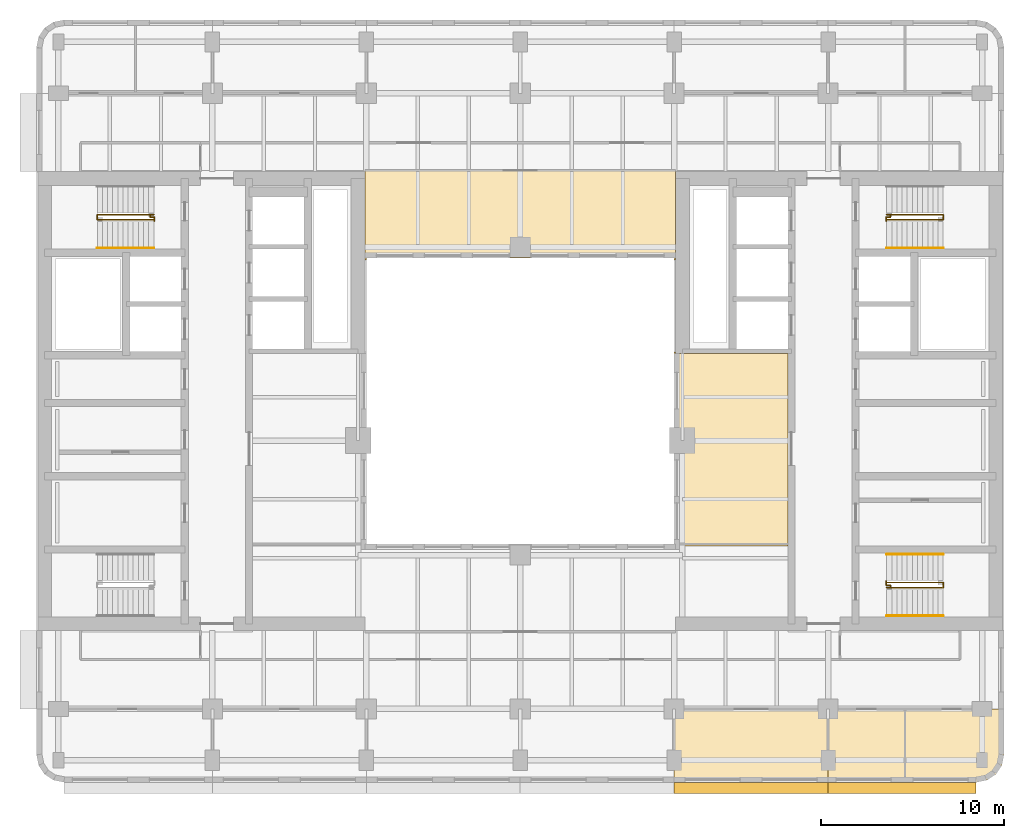
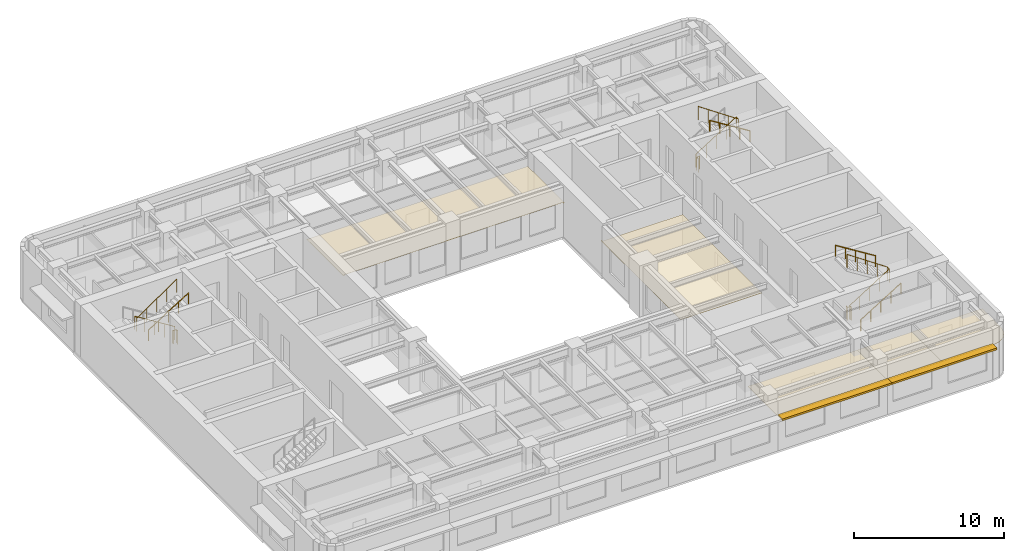
# One storey, part 10 of 11: 10 railings, 5 coverings, 2 shading devices.
"""IFC4 building model written with IfcOpenShell, lengths in metres."""

from ifc_helpers import new_model, si_unit, direction, frame, origin, origin_2d, place, context, subcontext, project, spatial, polyline, rectangle, circle, outline, extrude, material, layer, layer_set, type_object, element, save


model = new_model("IFC4")

# Units and contexts
model_context = context("Model", 3, precision=1e-05, world=origin(), true_north=direction((0.0, 1.0)))
body_context = subcontext(model_context, "Body", "Model", "MODEL_VIEW")
ifc_project = project(units=[si_unit("LENGTHUNIT", "METRE"), si_unit("AREAUNIT", "SQUARE_METRE"), si_unit("VOLUMEUNIT", "CUBIC_METRE"), si_unit("PLANEANGLEUNIT", "RADIAN"), si_unit("MASSUNIT", "GRAM", prefix="KILO")], contexts=[model_context])

# Site, building, storey
site_placement = place(None, origin())
site = spatial("IfcSite", under=ifc_project, at=site_placement, CompositionType="ELEMENT")
building_placement = place(site_placement, origin())
building = spatial("IfcBuilding", under=site, at=building_placement, Name="Claustro Exchange Tower", CompositionType="ELEMENT")
storey_placement = place(building_placement, frame((0.0, 0.0, 181.800048828125)))
storey = spatial("IfcBuildingStorey", under=building, at=storey_placement, Name="L41", CompositionType="ELEMENT", Elevation=181.800048828125)

# Coverings
ifc_material_1 = material(Name="Gypsum board ceiling", Category="gypsum board")
ifc_layer_1 = layer(ifc_material_1, 0.02490234375)
ifc_layer_set_1 = layer_set([ifc_layer_1], Name="Gypsum board ceiling")
covering_type = type_object("IfcCoveringType", Name="CL2 plasterboard ceiling", PredefinedType="CEILING", material=ifc_layer_set_1)
covering_1_placement = place(storey_placement, frame((0.0, 0.0, 2.800048828125)))
element("IfcCovering", 1, at=covering_1_placement, inside=storey, type_object=covering_type, Name="Ceiling CL2 L41-03", PredefinedType="CEILING", context=body_context, shape_type="SweptSolid", body=[
    extrude(outline(polyline([(33.60009765625, 4.39990234375), (42.0, 4.39990234375), (42.0, 8.39990234375), (33.60009765625, 8.39990234375), (33.60009765625, 4.39990234375)])), origin(), (0.0, 0.0, 1.0), 0.02490234375),
])
covering_2_placement = place(storey_placement, frame((0.0, 0.0, 2.800048828125)))
element("IfcCovering", 2, at=covering_2_placement, inside=storey, type_object=covering_type, Name="Ceiling CL2 L41-04", PredefinedType="CEILING", context=body_context, shape_type="SweptSolid", body=[
    extrude(outline(polyline([(42.0, 4.39990234375), (46.199951171875, 4.39990234375), (46.199951171875, 8.39990234375), (42.0, 8.39990234375), (42.0, 4.39990234375)])), origin(), (0.0, 0.0, 1.0), 0.02490234375),
])
covering_3_placement = place(storey_placement, frame((0.0, 0.0, 2.800048828125)))
element("IfcCovering", 3, at=covering_3_placement, inside=storey, type_object=covering_type, Name="Ceiling CL2 L41-05", PredefinedType="CEILING", context=body_context, shape_type="SweptSolid", body=[
    extrude(outline(polyline([(51.60009765625, 5.89990234375), (51.60009765625, 8.39990234375), (46.199951171875, 8.39990234375), (46.199951171875, 4.39990234375), (50.10009765625, 4.39990234375), (50.674072265625, 4.51416015625), (51.16064453125, 4.83935546875), (51.48583984375, 5.325927734375), (51.60009765625, 5.89990234375)])), origin(), (0.0, 0.0, 1.0), 0.02490234375),
])
covering_4_placement = place(storey_placement, frame((0.0, 0.0, 2.800048828125)))
element("IfcCovering", 4, at=covering_4_placement, inside=storey, type_object=covering_type, Name="Ceiling CL2 L41-12", PredefinedType="CEILING", context=body_context, shape_type="SweptSolid", body=[
    extrude(outline(polyline([(33.60009765625, 27.89501953125), (33.60009765625, 17.304931640625), (39.800048828125, 17.304931640625), (39.800048828125, 27.800048828125), (33.675048828125, 27.800048828125), (33.675048828125, 27.89501953125), (33.60009765625, 27.89501953125)])), origin(), (0.0, 0.0, 1.0), 0.02490234375),
])
covering_5_placement = place(storey_placement, frame((0.0, 0.0, 2.800048828125)))
element("IfcCovering", 5, at=covering_5_placement, inside=storey, type_object=covering_type, Name="Ceiling CL2 L41-13", PredefinedType="CEILING", context=body_context, shape_type="SweptSolid", body=[
    extrude(outline(polyline([(16.72509765625, 37.72509765625), (16.72509765625, 32.905029296875), (16.800048828125, 32.905029296875), (16.800048828125, 33.0), (33.60009765625, 33.0), (33.60009765625, 32.905029296875), (33.675048828125, 32.905029296875), (33.675048828125, 37.72509765625), (33.695068359375, 37.72509765625), (33.695068359375, 37.800048828125), (16.705078125, 37.800048828125), (16.705078125, 37.72509765625), (16.72509765625, 37.72509765625)])), origin(), (0.0, 0.0, 1.0), 0.02490234375),
])

# Railings
ifc_material_2 = material(Name="Steel balustrade, painted", Category="steel")
railing_type_1 = type_object("IfcRailingType", Name="GR2 1100 steel stair guard", PredefinedType="GUARDRAIL", material=ifc_material_2)
railing_1_placement = place(storey_placement, frame((5.199951171875, 35.375, 0.175048828125)))
element("IfcRailing", 6, at=railing_1_placement, inside=storey, type_object=railing_type_1, Name="Stair well guard GR2 stair STWB L41", PredefinedType="GUARDRAIL", context=body_context, shape_type="SweptSolid", body=[
    extrude(circle(Radius=0.02392578125, at=origin_2d()), frame((0.0, 0.0, 1.076171875), z_axis=(-0.848009633417, 0.0, 0.529980812513), x_axis=(0.0, -1.0, 0.0)), (0.0, 0.0, 1.0), 3.6318359375),
    extrude(circle(Radius=0.02392578125, at=origin_2d()), frame((-3.079833984375, 0.0, 3.0009765625), z_axis=(0.0, -1.0, 0.0), x_axis=(1.0, 0.0, 0.0)), (0.0, 0.0, 1.0), 0.27490234375),
    extrude(circle(Radius=0.02392578125, at=origin_2d()), frame((-3.079833984375, -0.27490234375, 3.0009765625), z_axis=(0.826201015165, 0.0, 0.563375436579), x_axis=(0.0, 1.0, 0.0)), (0.0, 0.0, 1.0), 3.727783203125),
    extrude(circle(Radius=0.02099609375, at=origin_2d()), origin(), (0.0, 0.0, 1.0), 1.052001953125),
    extrude(circle(Radius=0.02099609375, at=origin_2d()), frame((-0.77001953125, 0.0, 0.481201171875)), (0.0, 0.0, 1.0), 1.052001953125),
    extrude(circle(Radius=0.02099609375, at=origin_2d()), frame((-1.5400390625, 0.0, 0.96240234375)), (0.0, 0.0, 1.0), 1.052001953125),
    extrude(circle(Radius=0.02099609375, at=origin_2d()), frame((-2.309814453125, 0.0, 1.443603515625)), (0.0, 0.0, 1.0), 1.052001953125),
    extrude(circle(Radius=0.02099609375, at=origin_2d()), frame((-3.079833984375, 0.0, 1.9248046875)), (0.0, 0.0, 1.0), 1.052001953125),
    extrude(circle(Radius=0.02099609375, at=origin_2d()), frame((-3.079833984375, -0.27490234375, 1.9248046875)), (0.0, 0.0, 1.0), 1.052001953125),
    extrude(circle(Radius=0.02099609375, at=origin_2d()), frame((-2.309814453125, -0.27490234375, 2.44970703125)), (0.0, 0.0, 1.0), 1.052001953125),
    extrude(circle(Radius=0.02099609375, at=origin_2d()), frame((-1.5400390625, -0.27490234375, 2.974853515625)), (0.0, 0.0, 1.0), 1.052001953125),
    extrude(circle(Radius=0.02099609375, at=origin_2d()), frame((-0.77001953125, -0.27490234375, 3.5)), (0.0, 0.0, 1.0), 1.052001953125),
    extrude(circle(Radius=0.02099609375, at=origin_2d()), frame((0.0, -0.27490234375, 4.02490234375)), (0.0, 0.0, 1.0), 1.052001953125),
])
railing_2_placement = place(storey_placement, frame((5.0, 35.304931640625, 0.0)))
element("IfcRailing", 7, at=railing_2_placement, inside=storey, type_object=railing_type_1, Name="Stair guard GR2 STWB L41", PredefinedType="GUARDRAIL", context=body_context, shape_type="SweptSolid", body=[
    extrude(circle(Radius=0.02392578125, at=origin_2d()), frame((0.0, 0.0, 1.076171875), z_axis=(0.0, -1.0, 0.0), x_axis=(1.0, 0.0, 0.0)), (0.0, 0.0, 1.0), 0.0673828125),
    extrude(circle(Radius=0.02392578125, at=origin_2d()), frame((0.0, -0.0673828125, 1.076171875), z_axis=(1.0, 0.0, 0.0), x_axis=(0.0, 1.0, 0.0)), (0.0, 0.0, 1.0), 0.22509765625),
    extrude(circle(Radius=0.02392578125, at=origin_2d()), frame((0.22509765625, -0.0673828125, 1.076171875), z_axis=(0.0, -1.0, 0.0), x_axis=(1.0, 0.0, 0.0)), (0.0, 0.0, 1.0), 0.217529296875),
    extrude(circle(Radius=0.02099609375, at=origin_2d()), origin(), (0.0, 0.0, 1.0), 1.052001953125),
    extrude(circle(Radius=0.02099609375, at=origin_2d()), frame((0.0, -0.0673828125, 0.0)), (0.0, 0.0, 1.0), 1.052001953125),
    extrude(circle(Radius=0.02099609375, at=origin_2d()), frame((0.22509765625, -0.0673828125, 0.0)), (0.0, 0.0, 1.0), 1.052001953125),
    extrude(circle(Radius=0.02099609375, at=origin_2d()), frame((0.22509765625, -0.284912109375, 0.0)), (0.0, 0.0, 1.0), 1.052001953125),
])
railing_3_placement = place(storey_placement, frame((45.199951171875, 15.02490234375, 0.175048828125)))
element("IfcRailing", 8, at=railing_3_placement, inside=storey, type_object=railing_type_1, Name="Stair well guard GR2 stair STEA L41", PredefinedType="GUARDRAIL", context=body_context, shape_type="SweptSolid", body=[
    extrude(circle(Radius=0.02392578125, at=origin_2d()), frame((0.0, 0.0, 1.076171875), z_axis=(0.848028513186, 0.0, 0.529950602248), x_axis=(0.0, 1.0, 0.0)), (0.0, 0.0, 1.0), 3.632080078125),
    extrude(circle(Radius=0.02392578125, at=origin_2d()), frame((3.080078125, 0.0, 3.0009765625), z_axis=(0.0, 1.0, 0.0), x_axis=(-1.0, 0.0, 0.0)), (0.0, 0.0, 1.0), 0.275146484375),
    extrude(circle(Radius=0.02392578125, at=origin_2d()), frame((3.080078125, 0.275146484375, 3.0009765625), z_axis=(-0.826221800596, 0.0, 0.563344953133), x_axis=(0.0, -1.0, 0.0)), (0.0, 0.0, 1.0), 3.72802734375),
    extrude(circle(Radius=0.02099609375, at=origin_2d()), origin(), (0.0, 0.0, 1.0), 1.052001953125),
    extrude(circle(Radius=0.02099609375, at=origin_2d()), frame((0.77001953125, 0.0, 0.481201171875)), (0.0, 0.0, 1.0), 1.052001953125),
    extrude(circle(Radius=0.02099609375, at=origin_2d()), frame((1.5400390625, 0.0, 0.96240234375)), (0.0, 0.0, 1.0), 1.052001953125),
    extrude(circle(Radius=0.02099609375, at=origin_2d()), frame((2.31005859375, 0.0, 1.443603515625)), (0.0, 0.0, 1.0), 1.052001953125),
    extrude(circle(Radius=0.02099609375, at=origin_2d()), frame((3.080078125, 0.0, 1.9248046875)), (0.0, 0.0, 1.0), 1.052001953125),
    extrude(circle(Radius=0.02099609375, at=origin_2d()), frame((3.080078125, 0.275146484375, 1.9248046875)), (0.0, 0.0, 1.0), 1.052001953125),
    extrude(circle(Radius=0.02099609375, at=origin_2d()), frame((2.31005859375, 0.275146484375, 2.44970703125)), (0.0, 0.0, 1.0), 1.052001953125),
    extrude(circle(Radius=0.02099609375, at=origin_2d()), frame((1.5400390625, 0.275146484375, 2.974853515625)), (0.0, 0.0, 1.0), 1.052001953125),
    extrude(circle(Radius=0.02099609375, at=origin_2d()), frame((0.77001953125, 0.275146484375, 3.5)), (0.0, 0.0, 1.0), 1.052001953125),
    extrude(circle(Radius=0.02099609375, at=origin_2d()), frame((0.0, 0.275146484375, 4.02490234375)), (0.0, 0.0, 1.0), 1.052001953125),
])
railing_4_placement = place(storey_placement, frame((45.39990234375, 15.094970703125, 0.0)))
element("IfcRailing", 9, at=railing_4_placement, inside=storey, type_object=railing_type_1, Name="Stair guard GR2 STEA L41", PredefinedType="GUARDRAIL", context=body_context, shape_type="SweptSolid", body=[
    extrude(circle(Radius=0.02392578125, at=origin_2d()), frame((0.0, 0.0, 1.076171875), z_axis=(0.0, 1.0, 0.0), x_axis=(-1.0, 0.0, 0.0)), (0.0, 0.0, 1.0), 0.067626953125),
    extrude(circle(Radius=0.02392578125, at=origin_2d()), frame((0.0, 0.067626953125, 1.076171875), z_axis=(-1.0, 0.0, 0.0), x_axis=(0.0, -1.0, 0.0)), (0.0, 0.0, 1.0), 0.224853515625),
    extrude(circle(Radius=0.02392578125, at=origin_2d()), frame((-0.224853515625, 0.067626953125, 1.076171875), z_axis=(0.0, 1.0, 0.0), x_axis=(-1.0, 0.0, 0.0)), (0.0, 0.0, 1.0), 0.21728515625),
    extrude(circle(Radius=0.02099609375, at=origin_2d()), origin(), (0.0, 0.0, 1.0), 1.052001953125),
    extrude(circle(Radius=0.02099609375, at=origin_2d()), frame((0.0, 0.067626953125, 0.0)), (0.0, 0.0, 1.0), 1.052001953125),
    extrude(circle(Radius=0.02099609375, at=origin_2d()), frame((-0.224853515625, 0.067626953125, 0.0)), (0.0, 0.0, 1.0), 1.052001953125),
    extrude(circle(Radius=0.02099609375, at=origin_2d()), frame((-0.224853515625, 0.284912109375, 0.0)), (0.0, 0.0, 1.0), 1.052001953125),
])
railing_5_placement = place(storey_placement, frame((45.199951171875, 35.375, 0.175048828125)))
element("IfcRailing", 10, at=railing_5_placement, inside=storey, type_object=railing_type_1, Name="Stair well guard GR2 stair STEB L41", PredefinedType="GUARDRAIL", context=body_context, shape_type="SweptSolid", body=[
    extrude(circle(Radius=0.02392578125, at=origin_2d()), frame((0.0, 0.0, 1.076171875), z_axis=(0.848028513186, 0.0, 0.529950602248), x_axis=(0.0, 1.0, 0.0)), (0.0, 0.0, 1.0), 3.632080078125),
    extrude(circle(Radius=0.02392578125, at=origin_2d()), frame((3.080078125, 0.0, 3.0009765625), z_axis=(0.0, -1.0, 0.0), x_axis=(1.0, 0.0, 0.0)), (0.0, 0.0, 1.0), 0.27490234375),
    extrude(circle(Radius=0.02392578125, at=origin_2d()), frame((3.080078125, -0.27490234375, 3.0009765625), z_axis=(-0.826221800596, 0.0, 0.563344953133), x_axis=(0.0, -1.0, 0.0)), (0.0, 0.0, 1.0), 3.72802734375),
    extrude(circle(Radius=0.02099609375, at=origin_2d()), origin(), (0.0, 0.0, 1.0), 1.052001953125),
    extrude(circle(Radius=0.02099609375, at=origin_2d()), frame((0.77001953125, 0.0, 0.481201171875)), (0.0, 0.0, 1.0), 1.052001953125),
    extrude(circle(Radius=0.02099609375, at=origin_2d()), frame((1.5400390625, 0.0, 0.96240234375)), (0.0, 0.0, 1.0), 1.052001953125),
    extrude(circle(Radius=0.02099609375, at=origin_2d()), frame((2.31005859375, 0.0, 1.443603515625)), (0.0, 0.0, 1.0), 1.052001953125),
    extrude(circle(Radius=0.02099609375, at=origin_2d()), frame((3.080078125, 0.0, 1.9248046875)), (0.0, 0.0, 1.0), 1.052001953125),
    extrude(circle(Radius=0.02099609375, at=origin_2d()), frame((3.080078125, -0.27490234375, 1.9248046875)), (0.0, 0.0, 1.0), 1.052001953125),
    extrude(circle(Radius=0.02099609375, at=origin_2d()), frame((2.31005859375, -0.27490234375, 2.44970703125)), (0.0, 0.0, 1.0), 1.052001953125),
    extrude(circle(Radius=0.02099609375, at=origin_2d()), frame((1.5400390625, -0.27490234375, 2.974853515625)), (0.0, 0.0, 1.0), 1.052001953125),
    extrude(circle(Radius=0.02099609375, at=origin_2d()), frame((0.77001953125, -0.27490234375, 3.5)), (0.0, 0.0, 1.0), 1.052001953125),
    extrude(circle(Radius=0.02099609375, at=origin_2d()), frame((0.0, -0.27490234375, 4.02490234375)), (0.0, 0.0, 1.0), 1.052001953125),
])
railing_6_placement = place(storey_placement, frame((45.39990234375, 35.304931640625, 0.0)))
element("IfcRailing", 11, at=railing_6_placement, inside=storey, type_object=railing_type_1, Name="Stair guard GR2 STEB L41", PredefinedType="GUARDRAIL", context=body_context, shape_type="SweptSolid", body=[
    extrude(circle(Radius=0.02392578125, at=origin_2d()), frame((0.0, 0.0, 1.076171875), z_axis=(0.0, -1.0, 0.0), x_axis=(1.0, 0.0, 0.0)), (0.0, 0.0, 1.0), 0.0673828125),
    extrude(circle(Radius=0.02392578125, at=origin_2d()), frame((0.0, -0.0673828125, 1.076171875), z_axis=(-1.0, 0.0, 0.0), x_axis=(0.0, -1.0, 0.0)), (0.0, 0.0, 1.0), 0.224853515625),
    extrude(circle(Radius=0.02392578125, at=origin_2d()), frame((-0.224853515625, -0.0673828125, 1.076171875), z_axis=(0.0, -1.0, 0.0), x_axis=(1.0, 0.0, 0.0)), (0.0, 0.0, 1.0), 0.217529296875),
    extrude(circle(Radius=0.02099609375, at=origin_2d()), origin(), (0.0, 0.0, 1.0), 1.052001953125),
    extrude(circle(Radius=0.02099609375, at=origin_2d()), frame((0.0, -0.0673828125, 0.0)), (0.0, 0.0, 1.0), 1.052001953125),
    extrude(circle(Radius=0.02099609375, at=origin_2d()), frame((-0.224853515625, -0.0673828125, 0.0)), (0.0, 0.0, 1.0), 1.052001953125),
    extrude(circle(Radius=0.02099609375, at=origin_2d()), frame((-0.224853515625, -0.284912109375, 0.0)), (0.0, 0.0, 1.0), 1.052001953125),
])
ifc_material_3 = material(Name="Stainless steel tube", Category="steel")
railing_type_2 = type_object("IfcRailingType", Name="HR1 900 stair handrail", PredefinedType="HANDRAIL", material=ifc_material_3)
railing_7_placement = place(storey_placement, frame((2.1201171875, 33.56005859375, 2.27490234375)))
element("IfcRailing", 12, at=railing_7_placement, inside=storey, type_object=railing_type_2, Name="Handrail HR1 stair STWB L41", PredefinedType="HANDRAIL", context=body_context, shape_type="SweptSolid", body=[
    extrude(circle(Radius=0.02392578125, at=origin_2d()), frame((0.0, 0.0, 0.8759765625), z_axis=(0.847979421464, 0.0, 0.530029150871), x_axis=(0.0, 1.0, 0.0)), (0.0, 0.0, 1.0), 3.632080078125),
    extrude(circle(Radius=0.02099609375, at=origin_2d()), origin(), (0.0, 0.0, 1.0), 0.851806640625),
    extrude(circle(Radius=0.02099609375, at=origin_2d()), frame((0.77001953125, 0.0, 0.481201171875)), (0.0, 0.0, 1.0), 0.851806640625),
    extrude(circle(Radius=0.02099609375, at=origin_2d()), frame((1.5400390625, 0.0, 0.96240234375)), (0.0, 0.0, 1.0), 0.851806640625),
    extrude(circle(Radius=0.02099609375, at=origin_2d()), frame((2.309814453125, 0.0, 1.44384765625)), (0.0, 0.0, 1.0), 0.851806640625),
    extrude(circle(Radius=0.02099609375, at=origin_2d()), frame((3.079833984375, 0.0, 1.925048828125)), (0.0, 0.0, 1.0), 0.851806640625),
])
railing_8_placement = place(storey_placement, frame((45.199951171875, 13.485107421875, 0.175048828125)))
element("IfcRailing", 13, at=railing_8_placement, inside=storey, type_object=railing_type_2, Name="Handrail HR1 stair STEA L41", PredefinedType="HANDRAIL", context=body_context, shape_type="SweptSolid", body=[
    extrude(circle(Radius=0.02392578125, at=origin_2d()), frame((0.0, 0.0, 0.8759765625), z_axis=(0.848028513186, 0.0, 0.529950602248), x_axis=(0.0, 1.0, 0.0)), (0.0, 0.0, 1.0), 3.632080078125),
    extrude(circle(Radius=0.02099609375, at=origin_2d()), origin(), (0.0, 0.0, 1.0), 0.851806640625),
    extrude(circle(Radius=0.02099609375, at=origin_2d()), frame((0.77001953125, 0.0, 0.481201171875)), (0.0, 0.0, 1.0), 0.851806640625),
    extrude(circle(Radius=0.02099609375, at=origin_2d()), frame((1.5400390625, 0.0, 0.96240234375)), (0.0, 0.0, 1.0), 0.851806640625),
    extrude(circle(Radius=0.02099609375, at=origin_2d()), frame((2.31005859375, 0.0, 1.443603515625)), (0.0, 0.0, 1.0), 0.851806640625),
    extrude(circle(Radius=0.02099609375, at=origin_2d()), frame((3.080078125, 0.0, 1.9248046875)), (0.0, 0.0, 1.0), 0.851806640625),
])
for number, where, name in (
    (14, (48.280029296875, 16.840087890625, 2.27490234375), "Handrail HR1 stair STEA L41"),
    (15, (48.280029296875, 33.56005859375, 2.27490234375), "Handrail HR1 stair STEB L41"),
):
    element("IfcRailing", number, at=place(storey_placement, frame(where)), inside=storey, type_object=railing_type_2, Name=name, PredefinedType="HANDRAIL", context=body_context, shape_type="SweptSolid", body=[
        extrude(circle(Radius=0.02392578125, at=origin_2d()), frame((0.0, 0.0, 0.8759765625), z_axis=(-0.847998304005, 0.0, 0.529998940003), x_axis=(0.0, -1.0, 0.0)), (0.0, 0.0, 1.0), 3.632080078125),
        extrude(circle(Radius=0.02099609375, at=origin_2d()), origin(), (0.0, 0.0, 1.0), 0.851806640625),
        extrude(circle(Radius=0.02099609375, at=origin_2d()), frame((-0.77001953125, 0.0, 0.481201171875)), (0.0, 0.0, 1.0), 0.851806640625),
        extrude(circle(Radius=0.02099609375, at=origin_2d()), frame((-1.5400390625, 0.0, 0.96240234375)), (0.0, 0.0, 1.0), 0.851806640625),
        extrude(circle(Radius=0.02099609375, at=origin_2d()), frame((-2.31005859375, 0.0, 1.44384765625)), (0.0, 0.0, 1.0), 0.851806640625),
        extrude(circle(Radius=0.02099609375, at=origin_2d()), frame((-3.080078125, 0.0, 1.925048828125)), (0.0, 0.0, 1.0), 0.851806640625),
    ])

# Shading devices
ifc_material_4 = material(Name="Concrete HA-40 (C40/50), precast, white cement, acid-etched", Category="concrete")
ifc_layer_2 = layer(ifc_material_4, 0.14990234375)
ifc_layer_set_2 = layer_set([ifc_layer_2], Name="Concrete HA-40 (C40/50), precast, white cement, acid-etched")
shading_device_type = type_object("IfcShadingDeviceType", Name="SS1 600 precast concrete SUNSHADE", PredefinedType="SHUTTER", material=ifc_layer_set_2)
shading_device_1_placement = place(storey_placement, frame((46.04248046875, 4.10009765625, 2.800048828125), z_axis=(0.0, 0.0, 1.0), x_axis=(-1.0, 0.0, 0.0)))
element("IfcShadingDevice", 16, at=shading_device_1_placement, inside=storey, type_object=shading_device_type, Name="Precast SUNSHADE SS1 L41", PredefinedType="SHUTTER", context=body_context, shape_type="SweptSolid", body=[
    extrude(rectangle(XDim=8.085205078125, YDim=0.60009765625, at=origin_2d()), origin(), (0.0, 0.0, 1.0), 0.14990234375),
])
shading_device_2_placement = place(storey_placement, frame((37.800048828125, 4.10009765625, 2.800048828125), z_axis=(0.0, 0.0, 1.0), x_axis=(-1.0, 0.0, 0.0)))
element("IfcShadingDevice", 17, at=shading_device_2_placement, inside=storey, type_object=shading_device_type, Name="Precast SUNSHADE SS1 L41", PredefinedType="SHUTTER", context=body_context, shape_type="SweptSolid", body=[
    extrude(rectangle(XDim=8.39990234375, YDim=0.60009765625, at=origin_2d()), origin(), (0.0, 0.0, 1.0), 0.14990234375),
])

save(model, "model.ifc")
